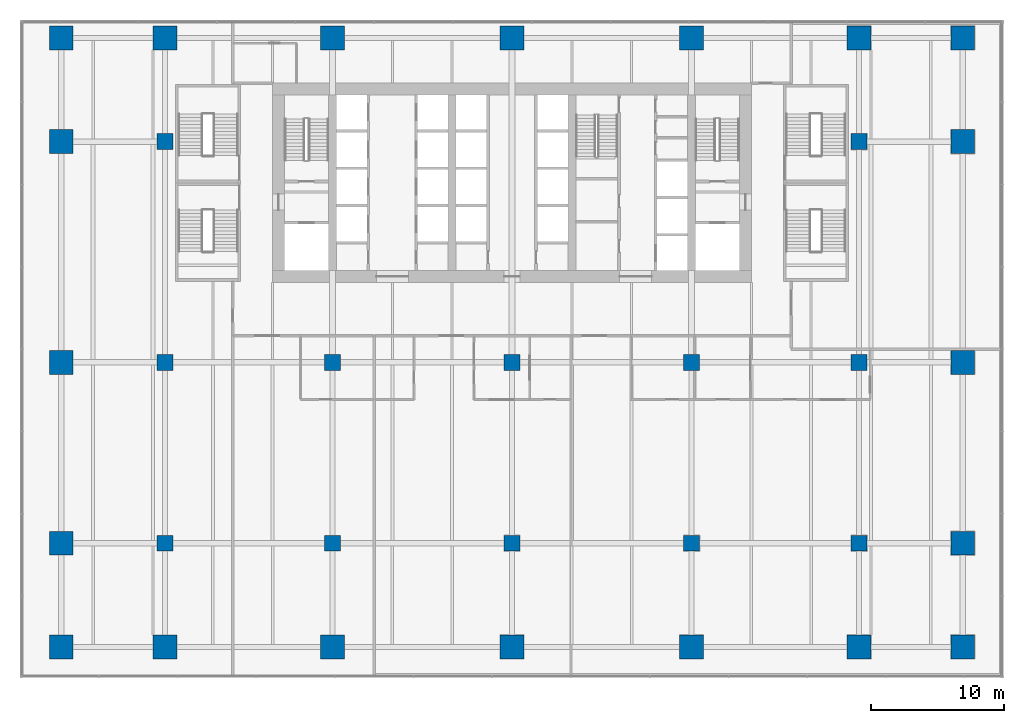
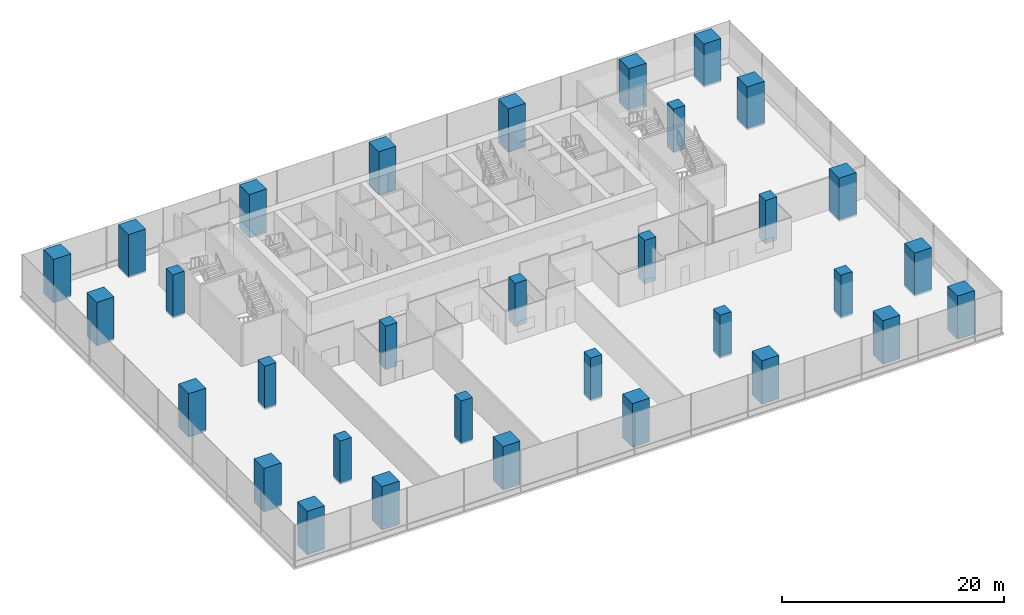
# One storey, part 1 of 29: 32 columns.
"""IFC4 building model written with IfcOpenShell, lengths in metres."""

from ifc_helpers import new_model, si_unit, direction, frame, origin, origin_2d, place, context, subcontext, project, spatial, rectangle, extrude, material, material_profile, profile_set, type_object, element, save


model = new_model("IFC4")

# Units and contexts
model_context = context("Model", 3, precision=1e-05, world=origin(), true_north=direction((0.0, 1.0)))
body_context = subcontext(model_context, "Body", "Model", "MODEL_VIEW")
ifc_project = project(units=[si_unit("LENGTHUNIT", "METRE"), si_unit("AREAUNIT", "SQUARE_METRE"), si_unit("VOLUMEUNIT", "CUBIC_METRE"), si_unit("PLANEANGLEUNIT", "RADIAN"), si_unit("MASSUNIT", "GRAM", prefix="KILO")], contexts=[model_context])

# Site, building, storey
site_placement = place(None, origin())
site = spatial("IfcSite", under=ifc_project, at=site_placement, CompositionType="ELEMENT")
building_placement = place(site_placement, origin())
building = spatial("IfcBuilding", under=site, at=building_placement, Name="Rattan Terrace Tower", CompositionType="ELEMENT")
storey_placement = place(building_placement, frame((0.0, 0.0, 12.60009765625)))
storey = spatial("IfcBuildingStorey", under=building, at=storey_placement, Name="L02", CompositionType="ELEMENT", Elevation=12.60009765625)

# Columns
ifc_material_1 = material(Name="Concrete C60/75", Category="concrete")
ifc_material_profile_1 = material_profile(ifc_material_1, rectangle(XDim=1.800048828125, YDim=1.800048828125, at=origin_2d()), Name="CFT 1800x1800")
ifc_profile_set_1 = profile_set([ifc_material_profile_1], Name="Concrete C60/75")
column_type_1 = type_object("IfcColumnType", Name="Frame exoskeleton column CFT 1800x1800", PredefinedType="COLUMN", material=ifc_profile_set_1)
for number, where, z_axis, x_axis, name in (
    (1, (-33.89990234375, -34.89990234375, -0.2001953125), (0.0, 0.0, 1.0), (1.0, 0.0, 0.0), "exo-L02-001"),
    (2, (33.89990234375, -34.89990234375, -0.2001953125), (0.0, 0.0, 1.0), (1.0, 0.0, 0.0), "exo-L02-002"),
    (3, (-33.89990234375, 10.89990234375, -0.2001953125), (0.0, 0.0, 1.0), (1.0, 0.0, 0.0), "exo-L02-003"),
    (4, (33.89990234375, 10.89990234375, -0.2001953125), (0.0, 0.0, 1.0), (1.0, 0.0, 0.0), "exo-L02-004"),
    (5, (-26.10009765625, -34.89990234375, -0.2001953125), (0.0, 0.0, 1.0), (1.0, 0.0, 0.0), "exo-L02-005"),
    (6, (-13.5, -34.89990234375, -0.2001953125), (0.0, 0.0, 1.0), (1.0, 0.0, 0.0), "exo-L02-006"),
    (7, (0.0, -34.89990234375, -0.2001953125), (0.0, 0.0, 1.0), (1.0, 0.0, 0.0), "exo-L02-007"),
    (8, (13.5, -34.89990234375, -0.2001953125), (0.0, 0.0, 1.0), (1.0, 0.0, 0.0), "exo-L02-008"),
    (9, (26.10009765625, -34.89990234375, -0.2001953125), (0.0, 0.0, 1.0), (1.0, 0.0, 0.0), "exo-L02-009"),
    (10, (-33.89990234375, -27.10009765625, -0.2001953125), (0.0, 0.0, 1.0), (0.0, 1.0, 0.0), "exo-L02-010"),
    (11, (33.89990234375, -27.10009765625, -0.2001953125), (0.0, 0.0, 1.0), (0.0, 1.0, 0.0), "exo-L02-011"),
    (12, (-33.89990234375, -13.5, -0.2001953125), (0.0, 0.0, 1.0), (0.0, 1.0, 0.0), "exo-L02-012"),
    (13, (33.89990234375, -13.5, -0.2001953125), (0.0, 0.0, 1.0), (0.0, 1.0, 0.0), "exo-L02-013"),
    (14, (-33.89990234375, 3.10009765625, -0.2001953125), (0.0, 0.0, 1.0), (0.0, 1.0, 0.0), "exo-L02-014"),
    (15, (33.89990234375, 3.10009765625, -0.2001953125), (0.0, 0.0, 1.0), (0.0, 1.0, 0.0), "exo-L02-015"),
    (16, (-26.10009765625, 10.89990234375, -0.2001953125), (0.0, 0.0, 1.0), (1.0, 0.0, 0.0), "exo-L02-016"),
    (17, (-13.5, 10.89990234375, -0.2001953125), (0.0, 0.0, 1.0), (1.0, 0.0, 0.0), "exo-L02-017"),
    (18, (0.0, 10.89990234375, -0.2001953125), (0.0, 0.0, 1.0), (1.0, 0.0, 0.0), "exo-L02-018"),
    (19, (13.5, 10.89990234375, -0.2001953125), (0.0, 0.0, 1.0), (1.0, 0.0, 0.0), "exo-L02-019"),
    (20, (26.10009765625, 10.89990234375, -0.2001953125), (0.0, 0.0, 1.0), (1.0, 0.0, 0.0), "exo-L02-020"),
):
    element("IfcColumn", number, at=place(storey_placement, frame(where, z_axis=z_axis, x_axis=x_axis)), inside=storey, type_object=column_type_1, Name=name, PredefinedType="COLUMN", context=body_context, shape_type="SweptSolid", body=[
        extrude(rectangle(XDim=1.800048828125, YDim=1.800048828125, at=origin_2d()), origin(), (0.0, 0.0, 1.0), 4.800048828125),
    ])
ifc_material_2 = material(Name="Concrete C60/75", Category="concrete")
ifc_material_profile_2 = material_profile(ifc_material_2, rectangle(XDim=1.199951171875, YDim=1.199951171875, at=origin_2d()), Name="RC 1200x1200")
ifc_profile_set_2 = profile_set([ifc_material_profile_2], Name="Concrete C60/75")
column_type_2 = type_object("IfcColumnType", Name="Frame interior column RC 1200x1200", PredefinedType="COLUMN", material=ifc_profile_set_2)
for number, where, z_axis, x_axis, name in (
    (21, (-26.10009765625, -27.10009765625, -0.2001953125), (0.0, 0.0, 1.0), (1.0, 0.0, 0.0), "col-L02-001"),
    (22, (-13.5, -27.10009765625, -0.2001953125), (0.0, 0.0, 1.0), (1.0, 0.0, 0.0), "col-L02-002"),
    (23, (0.0, -27.10009765625, -0.2001953125), (0.0, 0.0, 1.0), (1.0, 0.0, 0.0), "col-L02-003"),
    (24, (13.5, -27.10009765625, -0.2001953125), (0.0, 0.0, 1.0), (1.0, 0.0, 0.0), "col-L02-004"),
    (25, (26.10009765625, -27.10009765625, -0.2001953125), (0.0, 0.0, 1.0), (1.0, 0.0, 0.0), "col-L02-005"),
    (26, (-26.10009765625, -13.5, -0.2001953125), (0.0, 0.0, 1.0), (1.0, 0.0, 0.0), "col-L02-006"),
    (27, (-13.5, -13.5, -0.2001953125), (0.0, 0.0, 1.0), (1.0, 0.0, 0.0), "col-L02-007"),
    (28, (0.0, -13.5, -0.2001953125), (0.0, 0.0, 1.0), (1.0, 0.0, 0.0), "col-L02-008"),
    (29, (13.5, -13.5, -0.2001953125), (0.0, 0.0, 1.0), (1.0, 0.0, 0.0), "col-L02-009"),
    (30, (26.10009765625, -13.5, -0.2001953125), (0.0, 0.0, 1.0), (1.0, 0.0, 0.0), "col-L02-010"),
    (31, (-26.10009765625, 3.10009765625, -0.2001953125), (0.0, 0.0, 1.0), (1.0, 0.0, 0.0), "col-L02-011"),
    (32, (26.10009765625, 3.10009765625, -0.2001953125), (0.0, 0.0, 1.0), (1.0, 0.0, 0.0), "col-L02-012"),
):
    element("IfcColumn", number, at=place(storey_placement, frame(where, z_axis=z_axis, x_axis=x_axis)), inside=storey, type_object=column_type_2, Name=name, PredefinedType="COLUMN", context=body_context, shape_type="SweptSolid", body=[
        extrude(rectangle(XDim=1.199951171875, YDim=1.199951171875, at=origin_2d()), origin(), (0.0, 0.0, 1.0), 4.800048828125),
    ])

save(model, "model.ifc")
